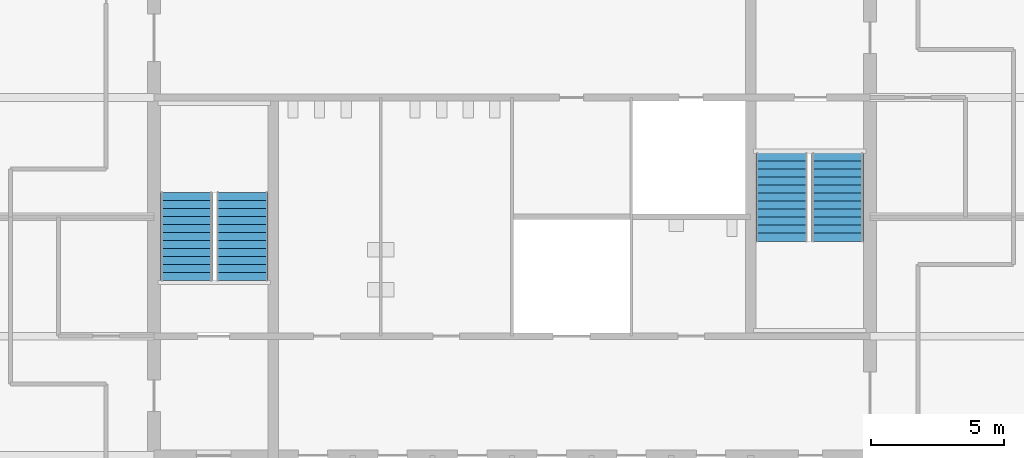
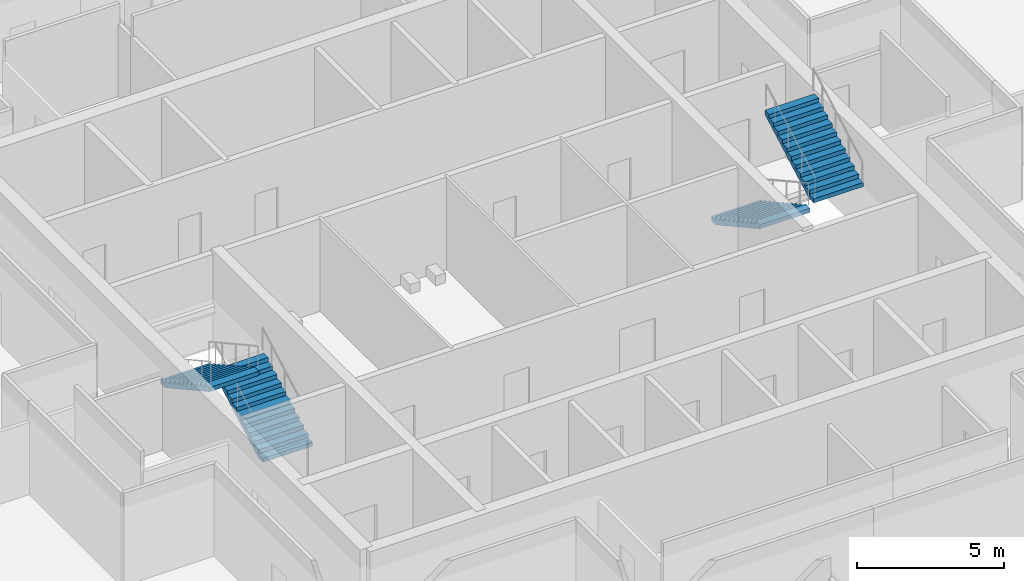
# One storey, part 11 of 13: 4 stair flights, 2 elements without a shape of their own.
"""IFC4 building model written with IfcOpenShell, lengths in metres."""

from ifc_helpers import new_model, si_unit, direction, frame, origin, place, context, subcontext, project, spatial, polyline, outline, extrude, material, type_object, element, aggregate, save


model = new_model("IFC4")

# Units and contexts
model_context = context("Model", 3, precision=1e-05, world=origin(), true_north=direction((0.0, 1.0)))
body_context = subcontext(model_context, "Body", "Model", "MODEL_VIEW")
ifc_project = project(units=[si_unit("LENGTHUNIT", "METRE"), si_unit("AREAUNIT", "SQUARE_METRE"), si_unit("VOLUMEUNIT", "CUBIC_METRE"), si_unit("PLANEANGLEUNIT", "RADIAN"), si_unit("MASSUNIT", "GRAM", prefix="KILO")], contexts=[model_context])

# Site, building, storey
site_placement = place(None, origin())
site = spatial("IfcSite", under=ifc_project, at=site_placement, CompositionType="ELEMENT")
building_placement = place(site_placement, origin())
building = spatial("IfcBuilding", under=site, at=building_placement, Name="Corais Broadcast Tower", CompositionType="ELEMENT")
storey_placement = place(building_placement, frame((0.0, 0.0, 119.60009765625)))
storey = spatial("IfcBuildingStorey", under=building, at=storey_placement, Name="L26", CompositionType="ELEMENT", Elevation=119.60009765625)

# Stair, stair flights
ifc_material_1 = material(Name="Concrete C30/37", Category="concrete")
stair_type = type_object("IfcStairType", Name="Half-turn stair 4000", PredefinedType="HALF_TURN_STAIR", material=ifc_material_1)
stair_1_placement = place(storey_placement, origin())
stair_1 = element("IfcStair", 1, at=stair_1_placement, inside=storey, type_object=stair_type, Name="Stair A L26", PredefinedType="HALF_TURN_STAIR")
ifc_material_2 = material(Name="Concrete C30/37", Category="concrete")
stair_flight_type = type_object("IfcStairFlightType", Name="Stair flight 4000", PredefinedType="STRAIGHT", material=ifc_material_2)
stair_flight_1_placement = place(storey_placement, frame((16.824951171875, 24.60009765625, 0.0), z_axis=(0.0, 0.0, 1.0), x_axis=(0.0, 1.0, 0.0)))
stair_flight_1 = element("IfcStairFlight", 2, at=stair_flight_1_placement, type_object=stair_flight_type, Name="STA flight 1", NumberOfRisers=12, NumberOfTreads=11, PredefinedType="STRAIGHT", RiserHeight=0.166666667, TreadLength=0.302, context=body_context, shape_type="SweptSolid", body=[
    extrude(outline(polyline([(0.0, 0.0), (0.0, 0.166748046875), (0.302001953125, 0.166748046875), (0.302001953125, 0.333251953125), (0.60400390625, 0.333251953125), (0.60400390625, 0.5), (0.906005859375, 0.5), (0.906005859375, 0.666748046875), (1.2080078125, 0.666748046875), (1.2080078125, 0.833251953125), (1.510009765625, 0.833251953125), (1.510009765625, 1.0), (1.81201171875, 1.0), (1.81201171875, 1.166748046875), (2.114013671875, 1.166748046875), (2.114013671875, 1.333251953125), (2.416015625, 1.333251953125), (2.416015625, 1.5), (2.718017578125, 1.5), (2.718017578125, 1.666748046875), (3.02001953125, 1.666748046875), (3.02001953125, 1.833251953125), (3.322021484375, 1.833251953125), (3.322021484375, 2.0), (3.322021484375, 1.662109375), (0.310302734375, 0.0), (0.0, 0.0)])), frame((0.0, 0.97509765625, 0.0), z_axis=(0.0, -1.0, 0.0), x_axis=(1.0, 0.0, 0.0)), (0.0, 0.0, 1.0), 1.949951171875),
])
stair_flight_2_placement = place(storey_placement, frame((14.72509765625, 27.922119140625, 2.0), z_axis=(0.0, 0.0, 1.0), x_axis=(0.0, -1.0, 0.0)))
stair_flight_2 = element("IfcStairFlight", 3, at=stair_flight_2_placement, type_object=stair_flight_type, Name="STA flight 2", NumberOfRisers=12, NumberOfTreads=11, PredefinedType="STRAIGHT", RiserHeight=0.166666667, TreadLength=0.302, context=body_context, shape_type="SweptSolid", body=[
    extrude(outline(polyline([(0.0, 0.0), (0.0, 0.166748046875), (0.302001953125, 0.166748046875), (0.302001953125, 0.333251953125), (0.60400390625, 0.333251953125), (0.60400390625, 0.5), (0.906005859375, 0.5), (0.906005859375, 0.666748046875), (1.2080078125, 0.666748046875), (1.2080078125, 0.833251953125), (1.510009765625, 0.833251953125), (1.510009765625, 1.0), (1.81201171875, 1.0), (1.81201171875, 1.166748046875), (2.114013671875, 1.166748046875), (2.114013671875, 1.333251953125), (2.416015625, 1.333251953125), (2.416015625, 1.5), (2.718017578125, 1.5), (2.718017578125, 1.666748046875), (3.02001953125, 1.666748046875), (3.02001953125, 1.833251953125), (3.322021484375, 1.833251953125), (3.322021484375, 2.0), (3.322021484375, 1.662109375), (0.310302734375, 0.0), (0.0, 0.0)])), frame((0.0, 0.97509765625, 0.0), z_axis=(0.0, -1.0, 0.0), x_axis=(1.0, 0.0, 0.0)), (0.0, 0.0, 1.0), 1.949951171875),
])
aggregate(stair_1, [stair_flight_1, stair_flight_2])

stair_2_placement = place(storey_placement, origin())
stair_2 = element("IfcStair", 4, at=stair_2_placement, inside=storey, type_object=stair_type, Name="Stair B L26", PredefinedType="HALF_TURN_STAIR")
stair_flight_3_placement = place(storey_placement, frame((37.175048828125, 29.39990234375, 0.0), z_axis=(0.0, 0.0, 1.0), x_axis=(0.0, -1.0, 0.0)))
stair_flight_3 = element("IfcStairFlight", 5, at=stair_flight_3_placement, type_object=stair_flight_type, Name="STB flight 1", NumberOfRisers=12, NumberOfTreads=11, PredefinedType="STRAIGHT", RiserHeight=0.166666667, TreadLength=0.302, context=body_context, shape_type="SweptSolid", body=[
    extrude(outline(polyline([(0.0, 0.0), (0.0, 0.166748046875), (0.302001953125, 0.166748046875), (0.302001953125, 0.333251953125), (0.60400390625, 0.333251953125), (0.60400390625, 0.5), (0.906005859375, 0.5), (0.906005859375, 0.666748046875), (1.2080078125, 0.666748046875), (1.2080078125, 0.833251953125), (1.510009765625, 0.833251953125), (1.510009765625, 1.0), (1.81201171875, 1.0), (1.81201171875, 1.166748046875), (2.114013671875, 1.166748046875), (2.114013671875, 1.333251953125), (2.416015625, 1.333251953125), (2.416015625, 1.5), (2.718017578125, 1.5), (2.718017578125, 1.666748046875), (3.02001953125, 1.666748046875), (3.02001953125, 1.833251953125), (3.322021484375, 1.833251953125), (3.322021484375, 2.0), (3.322021484375, 1.662109375), (0.310302734375, 0.0), (0.0, 0.0)])), frame((0.0, 0.97509765625, 0.0), z_axis=(0.0, -1.0, 0.0), x_axis=(1.0, 0.0, 0.0)), (0.0, 0.0, 1.0), 1.949951171875),
])
stair_flight_4_placement = place(storey_placement, frame((39.27490234375, 26.077880859375, 2.0), z_axis=(0.0, 0.0, 1.0), x_axis=(0.0, 1.0, 0.0)))
stair_flight_4 = element("IfcStairFlight", 6, at=stair_flight_4_placement, type_object=stair_flight_type, Name="STB flight 2", NumberOfRisers=12, NumberOfTreads=11, PredefinedType="STRAIGHT", RiserHeight=0.166666667, TreadLength=0.302, context=body_context, shape_type="SweptSolid", body=[
    extrude(outline(polyline([(0.0, 0.0), (0.0, 0.166748046875), (0.302001953125, 0.166748046875), (0.302001953125, 0.333251953125), (0.60400390625, 0.333251953125), (0.60400390625, 0.5), (0.906005859375, 0.5), (0.906005859375, 0.666748046875), (1.2080078125, 0.666748046875), (1.2080078125, 0.833251953125), (1.510009765625, 0.833251953125), (1.510009765625, 1.0), (1.81201171875, 1.0), (1.81201171875, 1.166748046875), (2.114013671875, 1.166748046875), (2.114013671875, 1.333251953125), (2.416015625, 1.333251953125), (2.416015625, 1.5), (2.718017578125, 1.5), (2.718017578125, 1.666748046875), (3.02001953125, 1.666748046875), (3.02001953125, 1.833251953125), (3.322021484375, 1.833251953125), (3.322021484375, 2.0), (3.322021484375, 1.662109375), (0.310302734375, 0.0), (0.0, 0.0)])), frame((0.0, 0.97509765625, 0.0), z_axis=(0.0, -1.0, 0.0), x_axis=(1.0, 0.0, 0.0)), (0.0, 0.0, 1.0), 1.949951171875),
])
aggregate(stair_2, [stair_flight_3, stair_flight_4])

save(model, "model.ifc")
